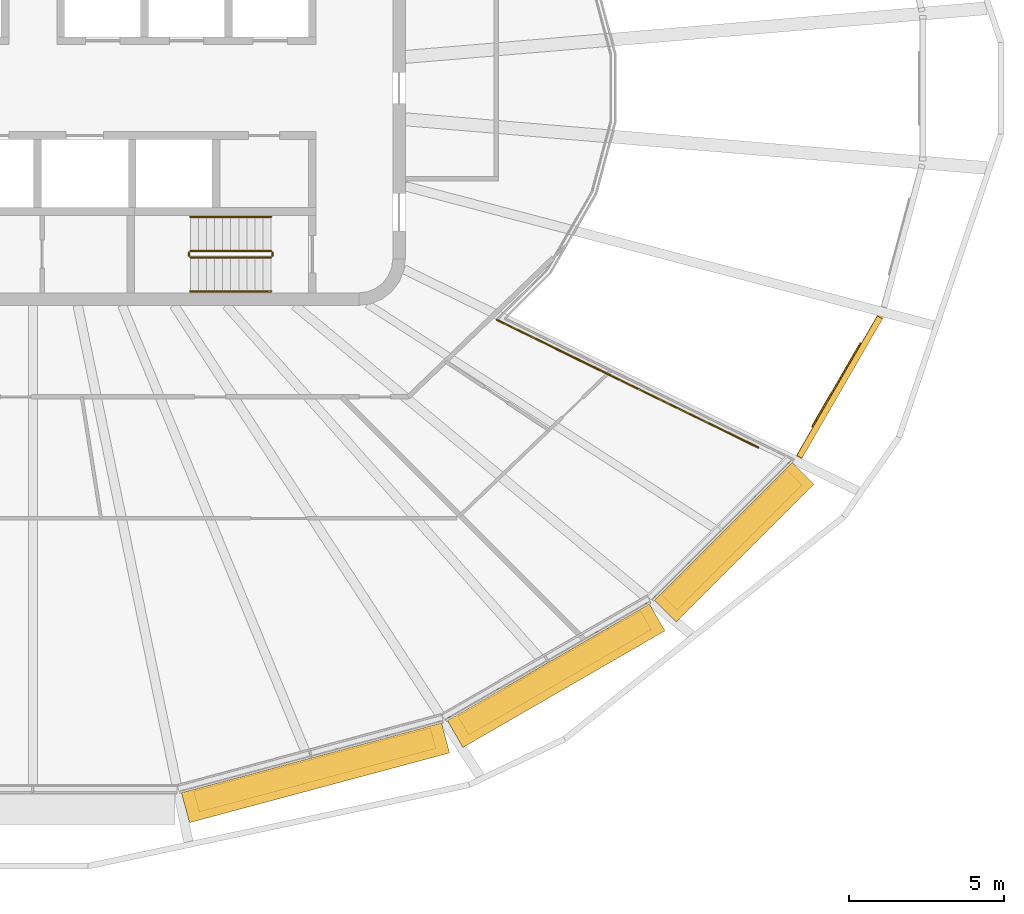
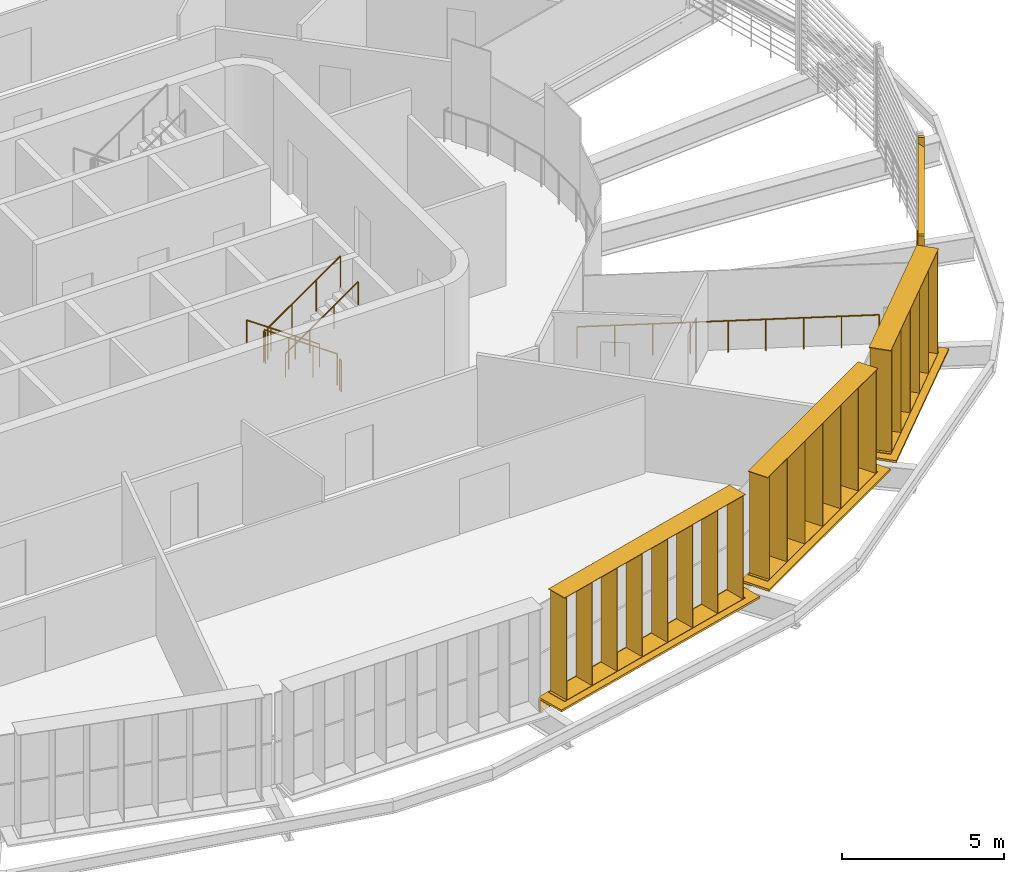
# One storey, part 16 of 19: 8 railings, 7 shading devices.
"""IFC4 building model written with IfcOpenShell, lengths in metres."""

from ifc_helpers import new_model, si_unit, direction, frame, origin, origin_2d, place, context, subcontext, project, spatial, rectangle, circle, extrude, material, type_object, element, save


model = new_model("IFC4")

# Units and contexts
model_context = context("Model", 3, precision=1e-05, world=origin(), true_north=direction((0.0, 1.0)))
body_context = subcontext(model_context, "Body", "Model", "MODEL_VIEW")
ifc_project = project(units=[si_unit("LENGTHUNIT", "METRE"), si_unit("AREAUNIT", "SQUARE_METRE"), si_unit("VOLUMEUNIT", "CUBIC_METRE"), si_unit("PLANEANGLEUNIT", "RADIAN"), si_unit("MASSUNIT", "GRAM", prefix="KILO")], contexts=[model_context])

# Site, building, storey
site_placement = place(None, origin())
site = spatial("IfcSite", under=ifc_project, at=site_placement, CompositionType="ELEMENT")
building_placement = place(site_placement, origin())
building = spatial("IfcBuilding", under=site, at=building_placement, Name="Sahrelin Media Tower", CompositionType="ELEMENT")
storey_placement = place(building_placement, frame((0.0, 0.0, 287.0)))
storey = spatial("IfcBuildingStorey", under=building, at=storey_placement, Name="L63", CompositionType="ELEMENT", Elevation=287.0)

# Shading devices
ifc_material_1 = material(Name="Champagne anodised aluminium 6063-T6", Category="aluminium")
shading_device_type_1 = type_object("IfcShadingDeviceType", Name="Fin cassette", PredefinedType="USERDEFINED", material=ifc_material_1)
placement_1 = place(storey_placement, frame((8.972412109375, -21.55810546875, 0.0), z_axis=(0.0, 0.0, 1.0), x_axis=(-0.965928857556, -0.258807731996, 0.0)))
element("IfcShadingDevice", 1, at=placement_1, inside=storey, type_object=shading_device_type_1, Name="L63:FIN:L63-19", ObjectType="FIN", PredefinedType="USERDEFINED", context=body_context, shape_type="SweptSolid", body=[
    extrude(rectangle(XDim=7.89990234375, YDim=0.699951171875, at=origin_2d()), frame((0.0, 0.419921875, 0.0)), (0.0, 0.0, 1.0), 0.02001953125),
    extrude(rectangle(XDim=7.89990234375, YDim=0.699951171875, at=origin_2d()), frame((0.0, 0.419921875, 3.89990234375)), (0.0, 0.0, 1.0), 0.02001953125),
    extrude(rectangle(XDim=0.02001953125, YDim=0.699951171875, at=origin_2d()), frame((-3.85009765625, 0.419921875, 0.010009765625), z_axis=(0.0, 0.0, 1.0), x_axis=(1.0, 0.0, 0.0)), (0.0, 0.0, 1.0), 3.89990234375),
    extrude(rectangle(XDim=0.02001953125, YDim=0.699951171875, at=origin_2d()), frame((-2.75, 0.419921875, 0.010009765625), z_axis=(0.0, 0.0, 1.0), x_axis=(1.0, 0.0, 0.0)), (0.0, 0.0, 1.0), 3.89990234375),
    extrude(rectangle(XDim=0.02001953125, YDim=0.699951171875, at=origin_2d()), frame((-1.64990234375, 0.419921875, 0.010009765625), z_axis=(0.0, 0.0, 1.0), x_axis=(1.0, 0.0, 0.0)), (0.0, 0.0, 1.0), 3.89990234375),
    extrude(rectangle(XDim=0.02001953125, YDim=0.699951171875, at=origin_2d()), frame((-0.550048828125, 0.419921875, 0.010009765625), z_axis=(0.0, 0.0, 1.0), x_axis=(1.0, 0.0, 0.0)), (0.0, 0.0, 1.0), 3.89990234375),
    extrude(rectangle(XDim=0.02001953125, YDim=0.699951171875, at=origin_2d()), frame((0.550048828125, 0.419921875, 0.010009765625), z_axis=(0.0, 0.0, 1.0), x_axis=(1.0, 0.0, 0.0)), (0.0, 0.0, 1.0), 3.89990234375),
    extrude(rectangle(XDim=0.02001953125, YDim=0.699951171875, at=origin_2d()), frame((1.64990234375, 0.419921875, 0.010009765625), z_axis=(0.0, 0.0, 1.0), x_axis=(1.0, 0.0, 0.0)), (0.0, 0.0, 1.0), 3.89990234375),
    extrude(rectangle(XDim=0.02001953125, YDim=0.699951171875, at=origin_2d()), frame((2.75, 0.419921875, 0.010009765625), z_axis=(0.0, 0.0, 1.0), x_axis=(1.0, 0.0, 0.0)), (0.0, 0.0, 1.0), 3.89990234375),
    extrude(rectangle(XDim=0.02001953125, YDim=0.699951171875, at=origin_2d()), frame((3.85009765625, 0.419921875, 0.010009765625), z_axis=(0.0, 0.0, 1.0), x_axis=(1.0, 0.0, 0.0)), (0.0, 0.0, 1.0), 3.89990234375),
])
placement_2 = place(storey_placement, frame((16.599853515625, -18.48095703125, 0.0), z_axis=(0.0, 0.0, 1.0), x_axis=(-0.866019052629, -0.500011000363, 0.0)))
element("IfcShadingDevice", 2, at=placement_2, inside=storey, type_object=shading_device_type_1, Name="L63:FIN:L63-20", ObjectType="FIN", PredefinedType="USERDEFINED", context=body_context, shape_type="SweptSolid", body=[
    extrude(rectangle(XDim=6.800048828125, YDim=0.699951171875, at=origin_2d()), frame((0.0, 0.419921875, 0.0)), (0.0, 0.0, 1.0), 0.02001953125),
    extrude(rectangle(XDim=6.800048828125, YDim=0.699951171875, at=origin_2d()), frame((0.0, 0.419921875, 3.89990234375)), (0.0, 0.0, 1.0), 0.02001953125),
    extrude(rectangle(XDim=0.02001953125, YDim=0.699951171875, at=origin_2d()), frame((-3.300048828125, 0.419921875, 0.010009765625), z_axis=(0.0, 0.0, 1.0), x_axis=(1.0, 0.0, 0.0)), (0.0, 0.0, 1.0), 3.89990234375),
    extrude(rectangle(XDim=0.02001953125, YDim=0.699951171875, at=origin_2d()), frame((-2.199951171875, 0.419921875, 0.010009765625), z_axis=(0.0, 0.0, 1.0), x_axis=(1.0, 0.0, 0.0)), (0.0, 0.0, 1.0), 3.89990234375),
    extrude(rectangle(XDim=0.02001953125, YDim=0.699951171875, at=origin_2d()), frame((-1.10009765625, 0.419921875, 0.010009765625), z_axis=(0.0, 0.0, 1.0), x_axis=(1.0, 0.0, 0.0)), (0.0, 0.0, 1.0), 3.89990234375),
    extrude(rectangle(XDim=0.02001953125, YDim=0.699951171875, at=origin_2d()), frame((0.0, 0.419921875, 0.010009765625), z_axis=(0.0, 0.0, 1.0), x_axis=(1.0, 0.0, 0.0)), (0.0, 0.0, 1.0), 3.89990234375),
    extrude(rectangle(XDim=0.02001953125, YDim=0.699951171875, at=origin_2d()), frame((1.10009765625, 0.419921875, 0.010009765625), z_axis=(0.0, 0.0, 1.0), x_axis=(1.0, 0.0, 0.0)), (0.0, 0.0, 1.0), 3.89990234375),
    extrude(rectangle(XDim=0.02001953125, YDim=0.699951171875, at=origin_2d()), frame((2.199951171875, 0.419921875, 0.010009765625), z_axis=(0.0, 0.0, 1.0), x_axis=(1.0, 0.0, 0.0)), (0.0, 0.0, 1.0), 3.89990234375),
    extrude(rectangle(XDim=0.02001953125, YDim=0.699951171875, at=origin_2d()), frame((3.300048828125, 0.419921875, 0.010009765625), z_axis=(0.0, 0.0, 1.0), x_axis=(1.0, 0.0, 0.0)), (0.0, 0.0, 1.0), 3.89990234375),
])
placement_3 = place(storey_placement, frame((22.2294921875, -14.262939453125, 0.0), z_axis=(0.0, 0.0, 1.0), x_axis=(-0.707106781187, -0.707106781187, 0.0)))
element("IfcShadingDevice", 3, at=placement_3, inside=storey, type_object=shading_device_type_1, Name="L63:FIN:L63-21", ObjectType="FIN", PredefinedType="USERDEFINED", context=body_context, shape_type="SweptSolid", body=[
    extrude(rectangle(XDim=5.699951171875, YDim=0.699951171875, at=origin_2d()), frame((0.0, 0.419921875, 0.0)), (0.0, 0.0, 1.0), 0.02001953125),
    extrude(rectangle(XDim=5.699951171875, YDim=0.699951171875, at=origin_2d()), frame((0.0, 0.419921875, 3.89990234375)), (0.0, 0.0, 1.0), 0.02001953125),
    extrude(rectangle(XDim=0.02001953125, YDim=0.699951171875, at=origin_2d()), frame((-2.75, 0.419921875, 0.010009765625), z_axis=(0.0, 0.0, 1.0), x_axis=(1.0, 0.0, 0.0)), (0.0, 0.0, 1.0), 3.89990234375),
    extrude(rectangle(XDim=0.02001953125, YDim=0.699951171875, at=origin_2d()), frame((-1.64990234375, 0.419921875, 0.010009765625), z_axis=(0.0, 0.0, 1.0), x_axis=(1.0, 0.0, 0.0)), (0.0, 0.0, 1.0), 3.89990234375),
    extrude(rectangle(XDim=0.02001953125, YDim=0.699951171875, at=origin_2d()), frame((-0.550048828125, 0.419921875, 0.010009765625), z_axis=(0.0, 0.0, 1.0), x_axis=(1.0, 0.0, 0.0)), (0.0, 0.0, 1.0), 3.89990234375),
    extrude(rectangle(XDim=0.02001953125, YDim=0.699951171875, at=origin_2d()), frame((0.550048828125, 0.419921875, 0.010009765625), z_axis=(0.0, 0.0, 1.0), x_axis=(1.0, 0.0, 0.0)), (0.0, 0.0, 1.0), 3.89990234375),
    extrude(rectangle(XDim=0.02001953125, YDim=0.699951171875, at=origin_2d()), frame((1.64990234375, 0.419921875, 0.010009765625), z_axis=(0.0, 0.0, 1.0), x_axis=(1.0, 0.0, 0.0)), (0.0, 0.0, 1.0), 3.89990234375),
    extrude(rectangle(XDim=0.02001953125, YDim=0.699951171875, at=origin_2d()), frame((2.75, 0.419921875, 0.010009765625), z_axis=(0.0, 0.0, 1.0), x_axis=(1.0, 0.0, 0.0)), (0.0, 0.0, 1.0), 3.89990234375),
])
shading_device_type_2 = type_object("IfcShadingDeviceType", Name="Garden screen", PredefinedType="USERDEFINED", material=ifc_material_1)
shading_device_4_placement = place(storey_placement, frame((25.90087890625, -9.580322265625, 0.0), z_axis=(0.0, 0.0, 1.0), x_axis=(-0.500011000363, -0.866019052629, 0.0)))
element("IfcShadingDevice", 4, at=shading_device_4_placement, inside=storey, type_object=shading_device_type_2, Name="L63:SCREEN:L63-22", ObjectType="SCREEN", PredefinedType="USERDEFINED", context=body_context, shape_type="SweptSolid", body=[
    extrude(rectangle(XDim=0.1201171875, YDim=0.199951171875, at=origin_2d()), frame((2.6533203125, 0.10009765625, 0.050048828125), z_axis=(0.0, 0.0, 1.0), x_axis=(1.0, 0.0, 0.0)), (0.0, 0.0, 1.0), 3.89990234375),
    extrude(rectangle(XDim=0.1201171875, YDim=0.199951171875, at=origin_2d()), frame((-2.6533203125, 0.10009765625, 0.050048828125), z_axis=(0.0, 0.0, 1.0), x_axis=(1.0, 0.0, 0.0)), (0.0, 0.0, 1.0), 3.89990234375),
    extrude(rectangle(XDim=0.25, YDim=0.02001953125, at=origin_2d()), frame((2.59326171875, 0.10009765625, 0.14990234375), z_axis=(-1.0, 0.0, 0.0), x_axis=(0.0, -0.766044443119, 0.642787609687)), (0.0, 0.0, 1.0), 5.1865234375),
    extrude(rectangle(XDim=0.25, YDim=0.02001953125, at=origin_2d()), frame((2.59326171875, 0.10009765625, 0.39990234375), z_axis=(-1.0, 0.0, 0.0), x_axis=(0.0, -0.766044443119, 0.642787609687)), (0.0, 0.0, 1.0), 5.1865234375),
    extrude(rectangle(XDim=0.25, YDim=0.02001953125, at=origin_2d()), frame((2.59326171875, 0.10009765625, 0.64990234375), z_axis=(-1.0, 0.0, 0.0), x_axis=(0.0, -0.766044443119, 0.642787609687)), (0.0, 0.0, 1.0), 5.1865234375),
    extrude(rectangle(XDim=0.25, YDim=0.02001953125, at=origin_2d()), frame((2.59326171875, 0.10009765625, 0.89990234375), z_axis=(-1.0, 0.0, 0.0), x_axis=(0.0, -0.766044443119, 0.642787609687)), (0.0, 0.0, 1.0), 5.1865234375),
    extrude(rectangle(XDim=0.25, YDim=0.02001953125, at=origin_2d()), frame((2.59326171875, 0.10009765625, 1.14990234375), z_axis=(-1.0, 0.0, 0.0), x_axis=(0.0, -0.766044443119, 0.642787609687)), (0.0, 0.0, 1.0), 5.1865234375),
    extrude(rectangle(XDim=0.25, YDim=0.02001953125, at=origin_2d()), frame((2.59326171875, 0.10009765625, 1.39990234375), z_axis=(-1.0, 0.0, 0.0), x_axis=(0.0, -0.766044443119, 0.642787609687)), (0.0, 0.0, 1.0), 5.1865234375),
    extrude(rectangle(XDim=0.25, YDim=0.02001953125, at=origin_2d()), frame((2.59326171875, 0.10009765625, 1.64990234375), z_axis=(-1.0, 0.0, 0.0), x_axis=(0.0, -0.766044443119, 0.642787609687)), (0.0, 0.0, 1.0), 5.1865234375),
    extrude(rectangle(XDim=0.25, YDim=0.02001953125, at=origin_2d()), frame((2.59326171875, 0.10009765625, 1.89990234375), z_axis=(-1.0, 0.0, 0.0), x_axis=(0.0, -0.766044443119, 0.642787609687)), (0.0, 0.0, 1.0), 5.1865234375),
    extrude(rectangle(XDim=0.25, YDim=0.02001953125, at=origin_2d()), frame((2.59326171875, 0.10009765625, 2.14990234375), z_axis=(-1.0, 0.0, 0.0), x_axis=(0.0, -0.766044443119, 0.642787609687)), (0.0, 0.0, 1.0), 5.1865234375),
    extrude(rectangle(XDim=0.25, YDim=0.02001953125, at=origin_2d()), frame((2.59326171875, 0.10009765625, 2.39990234375), z_axis=(-1.0, 0.0, 0.0), x_axis=(0.0, -0.766044443119, 0.642787609687)), (0.0, 0.0, 1.0), 5.1865234375),
    extrude(rectangle(XDim=0.25, YDim=0.02001953125, at=origin_2d()), frame((2.59326171875, 0.10009765625, 2.64990234375), z_axis=(-1.0, 0.0, 0.0), x_axis=(0.0, -0.766044443119, 0.642787609687)), (0.0, 0.0, 1.0), 5.1865234375),
    extrude(rectangle(XDim=0.25, YDim=0.02001953125, at=origin_2d()), frame((2.59326171875, 0.10009765625, 2.89990234375), z_axis=(-1.0, 0.0, 0.0), x_axis=(0.0, -0.766044443119, 0.642787609687)), (0.0, 0.0, 1.0), 5.1865234375),
    extrude(rectangle(XDim=0.25, YDim=0.02001953125, at=origin_2d()), frame((2.59326171875, 0.10009765625, 3.14990234375), z_axis=(-1.0, 0.0, 0.0), x_axis=(0.0, -0.766044443119, 0.642787609687)), (0.0, 0.0, 1.0), 5.1865234375),
    extrude(rectangle(XDim=0.25, YDim=0.02001953125, at=origin_2d()), frame((2.59326171875, 0.10009765625, 3.39990234375), z_axis=(-1.0, 0.0, 0.0), x_axis=(0.0, -0.766044443119, 0.642787609687)), (0.0, 0.0, 1.0), 5.1865234375),
    extrude(rectangle(XDim=0.25, YDim=0.02001953125, at=origin_2d()), frame((2.59326171875, 0.10009765625, 3.64990234375), z_axis=(-1.0, 0.0, 0.0), x_axis=(0.0, -0.766044443119, 0.642787609687)), (0.0, 0.0, 1.0), 5.1865234375),
])

# Railings
ifc_material_2 = material(Name="Stainless steel 316", Category="steel")
railing_type_1 = type_object("IfcRailingType", Name="Sky garden guard", PredefinedType="GUARDRAIL", material=ifc_material_2)
railing_1_placement = place(storey_placement, frame((26.6552734375, -8.228515625, 0.0)))
element("IfcRailing", 5, at=railing_1_placement, inside=storey, type_object=railing_type_1, Name="Sky garden void guard G8-5", PredefinedType="GUARDRAIL", context=body_context, shape_type="SweptSolid", body=[
    extrude(circle(Radius=0.02392578125, at=origin_2d()), frame((0.0, 0.0, 1.17578125), z_axis=(-0.500013594586, -0.866017554804, 0.0), x_axis=(0.866017554804, -0.500013594586, 0.0)), (0.0, 0.0, 1.0), 3.09716796875),
    extrude(circle(Radius=0.02099609375, at=origin_2d()), origin(), (0.0, 0.0, 1.0), 1.15185546875),
    extrude(circle(Radius=0.02099609375, at=origin_2d()), frame((-0.51611328125, -0.89404296875, 0.0)), (0.0, 0.0, 1.0), 1.15185546875),
    extrude(circle(Radius=0.02099609375, at=origin_2d()), frame((-1.032470703125, -1.7880859375, 0.0)), (0.0, 0.0, 1.0), 1.15185546875),
    extrude(circle(Radius=0.02099609375, at=origin_2d()), frame((-1.548583984375, -2.68212890625, 0.0)), (0.0, 0.0, 1.0), 1.15185546875),
])
railing_2_placement = place(storey_placement, frame((23.369873046875, -11.5791015625, 0.0)))
element("IfcRailing", 6, at=railing_2_placement, inside=storey, type_object=railing_type_1, Name="Sky garden void guard G8-6", PredefinedType="GUARDRAIL", context=body_context, shape_type="SweptSolid", body=[
    extrude(circle(Radius=0.02392578125, at=origin_2d()), frame((0.0, 0.0, 1.17578125), z_axis=(-0.898578748692, 0.438812297457, 0.0), x_axis=(-0.438812297457, -0.898578748692, 0.0)), (0.0, 0.0, 1.0), 9.367431640625),
    extrude(circle(Radius=0.02099609375, at=origin_2d()), origin(), (0.0, 0.0, 1.0), 1.15185546875),
    extrude(circle(Radius=0.02099609375, at=origin_2d()), frame((-1.05224609375, 0.513916015625, 0.0)), (0.0, 0.0, 1.0), 1.15185546875),
    extrude(circle(Radius=0.02099609375, at=origin_2d()), frame((-2.1044921875, 1.027587890625, 0.0)), (0.0, 0.0, 1.0), 1.15185546875),
    extrude(circle(Radius=0.02099609375, at=origin_2d()), frame((-3.156494140625, 1.54150390625, 0.0)), (0.0, 0.0, 1.0), 1.15185546875),
    extrude(circle(Radius=0.02099609375, at=origin_2d()), frame((-4.208740234375, 2.05517578125, 0.0)), (0.0, 0.0, 1.0), 1.15185546875),
    extrude(circle(Radius=0.02099609375, at=origin_2d()), frame((-5.260986328125, 2.569091796875, 0.0)), (0.0, 0.0, 1.0), 1.15185546875),
    extrude(circle(Radius=0.02099609375, at=origin_2d()), frame((-6.31298828125, 3.0830078125, 0.0)), (0.0, 0.0, 1.0), 1.15185546875),
    extrude(circle(Radius=0.02099609375, at=origin_2d()), frame((-7.365234375, 3.5966796875, 0.0)), (0.0, 0.0, 1.0), 1.15185546875),
    extrude(circle(Radius=0.02099609375, at=origin_2d()), frame((-8.41748046875, 4.110595703125, 0.0)), (0.0, 0.0, 1.0), 1.15185546875),
])
ifc_material_3 = material(Name="Steel S355", Category="steel")
railing_type_2 = type_object("IfcRailingType", Name="Stair guard 1200", PredefinedType="GUARDRAIL", material=ifc_material_3)
railing_3_placement = place(storey_placement, frame((7.675048828125, -5.25, 0.181884765625)))
element("IfcRailing", 7, at=railing_3_placement, inside=storey, type_object=railing_type_2, Name="L63 ST2 stair guard 1", PredefinedType="GUARDRAIL", context=body_context, shape_type="SweptSolid", body=[
    extrude(circle(Radius=0.02392578125, at=origin_2d()), frame((0.0, 0.0, 1.17578125), z_axis=(-0.819521025635, 0.0, 0.573049115296), x_axis=(0.0, -1.0, 0.0)), (0.0, 0.0, 1.0), 3.172607421875),
    extrude(circle(Radius=0.02099609375, at=origin_2d()), origin(), (0.0, 0.0, 1.0), 1.15185546875),
    extrude(circle(Radius=0.02099609375, at=origin_2d()), frame((-0.86669921875, 0.0, 0.60595703125)), (0.0, 0.0, 1.0), 1.15185546875),
    extrude(circle(Radius=0.02099609375, at=origin_2d()), frame((-1.7333984375, 0.0, 1.212158203125)), (0.0, 0.0, 1.0), 1.15185546875),
    extrude(circle(Radius=0.02099609375, at=origin_2d()), frame((-2.60009765625, 0.0, 1.818115234375)), (0.0, 0.0, 1.0), 1.15185546875),
])
railing_4_placement = place(storey_placement, frame((5.02490234375, -5.300048828125, 2.0)))
element("IfcRailing", 8, at=railing_4_placement, inside=storey, type_object=railing_type_2, Name="L63 ST2 stair guard 2", PredefinedType="GUARDRAIL", context=body_context, shape_type="SweptSolid", body=[
    extrude(circle(Radius=0.02392578125, at=origin_2d()), frame((0.0, 0.0, 1.17578125), z_axis=(0.0, -1.0, 0.0), x_axis=(1.0, 0.0, 0.0)), (0.0, 0.0, 1.0), 0.099853515625),
    extrude(circle(Radius=0.02099609375, at=origin_2d()), origin(), (0.0, 0.0, 1.0), 1.15185546875),
    extrude(circle(Radius=0.02099609375, at=origin_2d()), frame((0.0, -0.099853515625, 0.0)), (0.0, 0.0, 1.0), 1.15185546875),
])
railing_5_placement = place(storey_placement, frame((5.074951171875, -5.449951171875, 2.181884765625)))
element("IfcRailing", 9, at=railing_5_placement, inside=storey, type_object=railing_type_2, Name="L63 ST2 stair guard 3", PredefinedType="GUARDRAIL", context=body_context, shape_type="SweptSolid", body=[
    extrude(circle(Radius=0.02392578125, at=origin_2d()), frame((0.0, 0.0, 1.17578125), z_axis=(0.819521025635, 0.0, 0.573049115296), x_axis=(0.0, 1.0, 0.0)), (0.0, 0.0, 1.0), 3.172607421875),
    extrude(circle(Radius=0.02099609375, at=origin_2d()), origin(), (0.0, 0.0, 1.0), 1.15185546875),
    extrude(circle(Radius=0.02099609375, at=origin_2d()), frame((0.86669921875, 0.0, 0.60595703125)), (0.0, 0.0, 1.0), 1.15185546875),
    extrude(circle(Radius=0.02099609375, at=origin_2d()), frame((1.7333984375, 0.0, 1.212158203125)), (0.0, 0.0, 1.0), 1.15185546875),
    extrude(circle(Radius=0.02099609375, at=origin_2d()), frame((2.60009765625, 0.0, 1.818115234375)), (0.0, 0.0, 1.0), 1.15185546875),
])
railing_6_placement = place(storey_placement, frame((7.72509765625, -5.300048828125, 0.0)))
element("IfcRailing", 10, at=railing_6_placement, inside=storey, type_object=railing_type_2, Name="L63 ST2 stair guard 4", PredefinedType="GUARDRAIL", context=body_context, shape_type="SweptSolid", body=[
    extrude(circle(Radius=0.02392578125, at=origin_2d()), frame((0.0, 0.0, 1.17578125), z_axis=(0.0, -1.0, 0.0), x_axis=(1.0, 0.0, 0.0)), (0.0, 0.0, 1.0), 0.099853515625),
    extrude(circle(Radius=0.02099609375, at=origin_2d()), origin(), (0.0, 0.0, 1.0), 1.15185546875),
    extrude(circle(Radius=0.02099609375, at=origin_2d()), frame((0.0, -0.099853515625, 0.0)), (0.0, 0.0, 1.0), 1.15185546875),
])
railing_type_3 = type_object("IfcRailingType", Name="Stair handrail 900", PredefinedType="HANDRAIL", material=ifc_material_3)
railing_7_placement = place(storey_placement, frame((7.675048828125, -4.14990234375, 0.181884765625)))
element("IfcRailing", 11, at=railing_7_placement, inside=storey, type_object=railing_type_3, Name="L63 ST2 stair handrail 1", PredefinedType="HANDRAIL", context=body_context, shape_type="SweptSolid", body=[
    extrude(circle(Radius=0.02392578125, at=origin_2d()), frame((0.0, 0.0, 0.8759765625), z_axis=(-0.819521025635, 0.0, 0.573049115296), x_axis=(0.0, -1.0, 0.0)), (0.0, 0.0, 1.0), 3.172607421875),
    extrude(circle(Radius=0.02099609375, at=origin_2d()), origin(), (0.0, 0.0, 1.0), 0.851806640625),
    extrude(circle(Radius=0.02099609375, at=origin_2d()), frame((-0.86669921875, 0.0, 0.60595703125)), (0.0, 0.0, 1.0), 0.851806640625),
    extrude(circle(Radius=0.02099609375, at=origin_2d()), frame((-1.7333984375, 0.0, 1.212158203125)), (0.0, 0.0, 1.0), 0.851806640625),
    extrude(circle(Radius=0.02099609375, at=origin_2d()), frame((-2.60009765625, 0.0, 1.818115234375)), (0.0, 0.0, 1.0), 0.851806640625),
])
railing_8_placement = place(storey_placement, frame((5.074951171875, -6.550048828125, 2.181884765625)))
element("IfcRailing", 12, at=railing_8_placement, inside=storey, type_object=railing_type_3, Name="L63 ST2 stair handrail 2", PredefinedType="HANDRAIL", context=body_context, shape_type="SweptSolid", body=[
    extrude(circle(Radius=0.02392578125, at=origin_2d()), frame((0.0, 0.0, 0.8759765625), z_axis=(0.819521025635, 0.0, 0.573049115296), x_axis=(0.0, 1.0, 0.0)), (0.0, 0.0, 1.0), 3.172607421875),
    extrude(circle(Radius=0.02099609375, at=origin_2d()), origin(), (0.0, 0.0, 1.0), 0.851806640625),
    extrude(circle(Radius=0.02099609375, at=origin_2d()), frame((0.86669921875, 0.0, 0.60595703125)), (0.0, 0.0, 1.0), 0.851806640625),
    extrude(circle(Radius=0.02099609375, at=origin_2d()), frame((1.7333984375, 0.0, 1.212158203125)), (0.0, 0.0, 1.0), 0.851806640625),
    extrude(circle(Radius=0.02099609375, at=origin_2d()), frame((2.60009765625, 0.0, 1.818115234375)), (0.0, 0.0, 1.0), 0.851806640625),
])

# Shading devices
shading_device_type_3 = type_object("IfcShadingDeviceType", Name="Sunshade band", PredefinedType="USERDEFINED", material=ifc_material_1)
element("IfcShadingDevice", 13, at=placement_1, inside=storey, type_object=shading_device_type_3, Name="L63:SUN:L63-19", ObjectType="SUNSHADE", PredefinedType="USERDEFINED", context=body_context, shape_type="SweptSolid", body=[
    extrude(rectangle(XDim=8.67626953125, YDim=0.050048828125, at=origin_2d()), frame((0.0, 0.044921875, -0.55126953125)), (0.0, 0.0, 1.0), 0.471435546875),
    extrude(rectangle(XDim=8.67626953125, YDim=1.0, at=origin_2d()), frame((0.0, 0.52001953125, -0.080078125)), (0.0, 0.0, 1.0), 0.080078125),
    extrude(rectangle(XDim=0.10009765625, YDim=0.074951171875, at=origin_2d()), frame((-4.238037109375, -0.017578125, -0.47021484375)), (0.0, 0.0, 1.0), 0.300048828125),
    extrude(rectangle(XDim=0.10009765625, YDim=0.074951171875, at=origin_2d()), frame((-2.54296875, -0.017578125, -0.47021484375)), (0.0, 0.0, 1.0), 0.300048828125),
    extrude(rectangle(XDim=0.10009765625, YDim=0.074951171875, at=origin_2d()), frame((-0.84765625, -0.017578125, -0.47021484375)), (0.0, 0.0, 1.0), 0.300048828125),
    extrude(rectangle(XDim=0.10009765625, YDim=0.074951171875, at=origin_2d()), frame((0.84765625, -0.017578125, -0.47021484375)), (0.0, 0.0, 1.0), 0.300048828125),
    extrude(rectangle(XDim=0.10009765625, YDim=0.074951171875, at=origin_2d()), frame((2.54296875, -0.017578125, -0.47021484375)), (0.0, 0.0, 1.0), 0.300048828125),
    extrude(rectangle(XDim=0.10009765625, YDim=0.074951171875, at=origin_2d()), frame((4.238037109375, -0.017578125, -0.47021484375)), (0.0, 0.0, 1.0), 0.300048828125),
])
element("IfcShadingDevice", 14, at=placement_2, inside=storey, type_object=shading_device_type_3, Name="L63:SUN:L63-20", ObjectType="SUNSHADE", PredefinedType="USERDEFINED", context=body_context, shape_type="SweptSolid", body=[
    extrude(rectangle(XDim=7.51416015625, YDim=0.050048828125, at=origin_2d()), frame((0.0, 0.044921875, -0.55126953125)), (0.0, 0.0, 1.0), 0.471435546875),
    extrude(rectangle(XDim=7.51416015625, YDim=1.0, at=origin_2d()), frame((0.0, 0.52001953125, -0.080078125)), (0.0, 0.0, 1.0), 0.080078125),
    extrude(rectangle(XDim=0.10009765625, YDim=0.074951171875, at=origin_2d()), frame((-3.656982421875, -0.017578125, -0.47021484375)), (0.0, 0.0, 1.0), 0.300048828125),
    extrude(rectangle(XDim=0.10009765625, YDim=0.074951171875, at=origin_2d()), frame((-1.82861328125, -0.017578125, -0.47021484375)), (0.0, 0.0, 1.0), 0.300048828125),
    extrude(rectangle(XDim=0.10009765625, YDim=0.074951171875, at=origin_2d()), frame((0.0, -0.017578125, -0.47021484375)), (0.0, 0.0, 1.0), 0.300048828125),
    extrude(rectangle(XDim=0.10009765625, YDim=0.074951171875, at=origin_2d()), frame((1.82861328125, -0.017578125, -0.47021484375)), (0.0, 0.0, 1.0), 0.300048828125),
    extrude(rectangle(XDim=0.10009765625, YDim=0.074951171875, at=origin_2d()), frame((3.656982421875, -0.017578125, -0.47021484375)), (0.0, 0.0, 1.0), 0.300048828125),
])
element("IfcShadingDevice", 15, at=placement_3, inside=storey, type_object=shading_device_type_3, Name="L63:SUN:L63-21", ObjectType="SUNSHADE", PredefinedType="USERDEFINED", context=body_context, shape_type="SweptSolid", body=[
    extrude(rectangle(XDim=6.27587890625, YDim=0.050048828125, at=origin_2d()), frame((0.0, 0.044921875, -0.55126953125)), (0.0, 0.0, 1.0), 0.471435546875),
    extrude(rectangle(XDim=6.27587890625, YDim=1.0, at=origin_2d()), frame((0.0, 0.52001953125, -0.080078125)), (0.0, 0.0, 1.0), 0.080078125),
    extrude(rectangle(XDim=0.10009765625, YDim=0.074951171875, at=origin_2d()), frame((-3.037841796875, -0.017578125, -0.47021484375)), (0.0, 0.0, 1.0), 0.300048828125),
    extrude(rectangle(XDim=0.10009765625, YDim=0.074951171875, at=origin_2d()), frame((-1.518798828125, -0.017578125, -0.47021484375)), (0.0, 0.0, 1.0), 0.300048828125),
    extrude(rectangle(XDim=0.10009765625, YDim=0.074951171875, at=origin_2d()), frame((0.0, -0.017578125, -0.47021484375)), (0.0, 0.0, 1.0), 0.300048828125),
    extrude(rectangle(XDim=0.10009765625, YDim=0.074951171875, at=origin_2d()), frame((1.518798828125, -0.017578125, -0.47021484375)), (0.0, 0.0, 1.0), 0.300048828125),
    extrude(rectangle(XDim=0.10009765625, YDim=0.074951171875, at=origin_2d()), frame((3.037841796875, -0.017578125, -0.47021484375)), (0.0, 0.0, 1.0), 0.300048828125),
])

save(model, "model.ifc")
